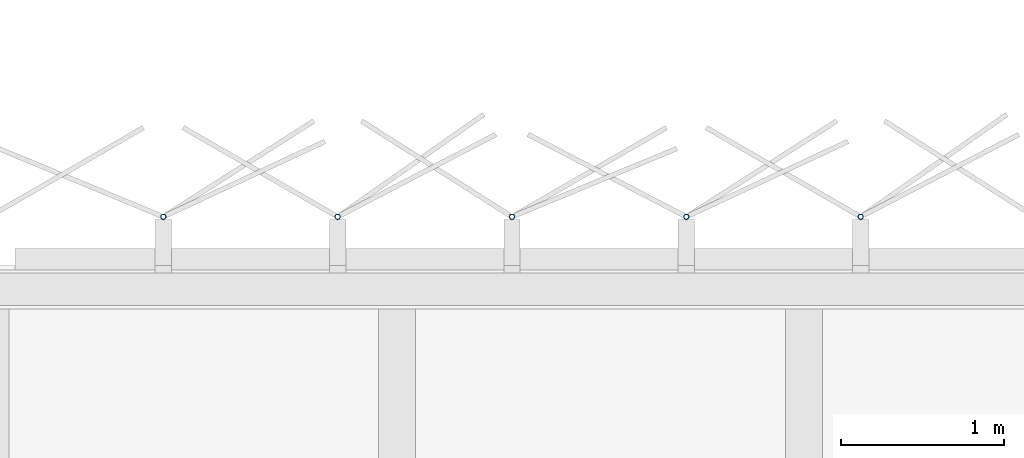
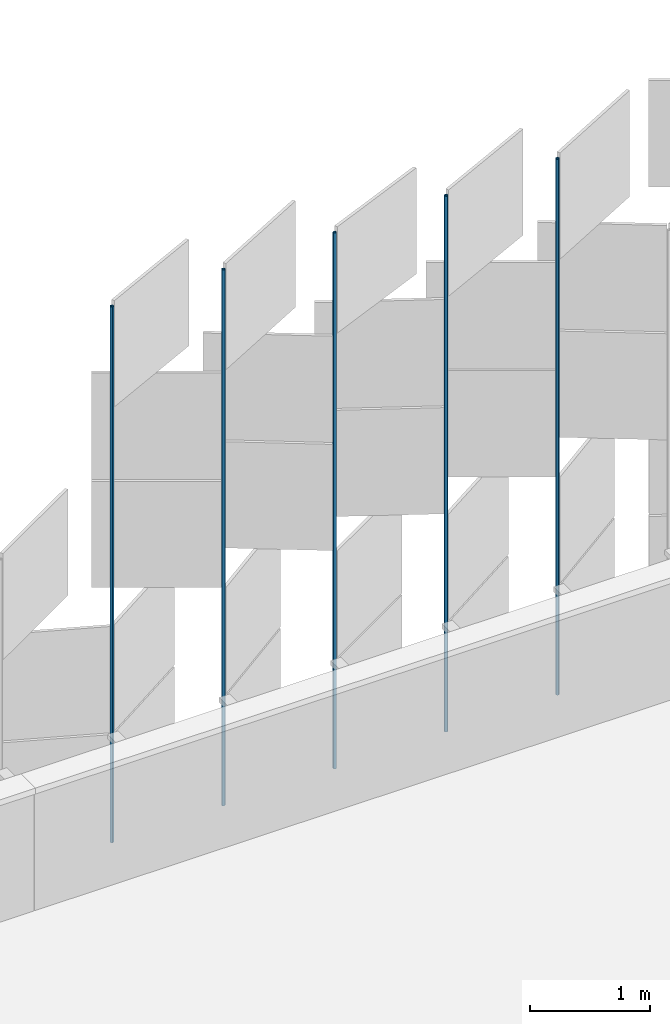
# One storey, part 343 of 483: 5 discrete accessories.
"""IFC4 building model written with IfcOpenShell, lengths in metres."""

from ifc_helpers import new_model, si_unit, direction, frame, origin, origin_2d, place, context, subcontext, project, spatial, hollow_circle, extrude, material, material_profile, profile_set, type_object, element, save


model = new_model("IFC4")

# Units and contexts
model_context = context("Model", 3, precision=1e-05, world=origin(), true_north=direction((0.0, 1.0)))
body_context = subcontext(model_context, "Body", "Model", "MODEL_VIEW")
ifc_project = project(units=[si_unit("LENGTHUNIT", "METRE"), si_unit("AREAUNIT", "SQUARE_METRE"), si_unit("VOLUMEUNIT", "CUBIC_METRE"), si_unit("PLANEANGLEUNIT", "RADIAN"), si_unit("MASSUNIT", "GRAM", prefix="KILO")], contexts=[model_context])

# Site, building, storey
site_placement = place(None, origin())
site = spatial("IfcSite", under=ifc_project, at=site_placement, CompositionType="ELEMENT")
building_placement = place(site_placement, origin())
building = spatial("IfcBuilding", under=site, at=building_placement, Name="Parallax Yard Mobility Hub", CompositionType="ELEMENT")
storey_placement = place(building_placement, frame((0.0, 0.0, 13.199951171875)))
storey = spatial("IfcBuildingStorey", under=building, at=storey_placement, Name="L04", CompositionType="ELEMENT", Elevation=13.199951171875)

# Discrete accessories
ifc_material = material(Name="Steel ASTM A500 Gr C, hot-dip galvanised", Category="steel")
ifc_material_profile = material_profile(ifc_material, hollow_circle(Radius=0.016845703125, WallThickness=0.003173828125, at=origin_2d()), Name="CHS 33.7x3.2")
ifc_profile_set = profile_set([ifc_material_profile], Name="Steel ASTM A500 Gr C, hot-dip galvanised")
discrete_accessory_type = type_object("IfcDiscreteAccessoryType", Name="Hinge post CHS 33.7x3.2", PredefinedType="BRACKET", material=ifc_profile_set)
for number, where, z_axis, x_axis, name in (
    (1, (87.84912109375, 142.800048828125, 0.0), (0.0, 0.0, 1.0), (1.0, 0.0, 0.0), "Hinge post bay 62.3 level L04"),
    (2, (86.77734375, 142.800048828125, 0.0), (0.0, 0.0, 1.0), (1.0, 0.0, 0.0), "Hinge post bay 62.4 level L04"),
    (3, (85.705810546875, 142.800048828125, 0.0), (0.0, 0.0, 1.0), (1.0, 0.0, 0.0), "Hinge post bay 62.5 level L04"),
    (4, (84.63427734375, 142.800048828125, 0.0), (0.0, 0.0, 1.0), (1.0, 0.0, 0.0), "Hinge post bay 62.6 level L04"),
    (5, (83.562744140625, 142.800048828125, 0.0), (0.0, 0.0, 1.0), (1.0, 0.0, 0.0), "Hinge post bay 62.7 level L04"),
):
    element("IfcDiscreteAccessory", number, at=place(storey_placement, frame(where, z_axis=z_axis, x_axis=x_axis)), inside=storey, type_object=discrete_accessory_type, Name=name, PredefinedType="BRACKET", context=body_context, shape_type="SweptSolid", body=[
        extrude(hollow_circle(Radius=0.016845703125, WallThickness=0.003173828125, at=origin_2d()), origin(), (0.0, 0.0, 1.0), 5.449951171875),
    ])

save(model, "model.ifc")
